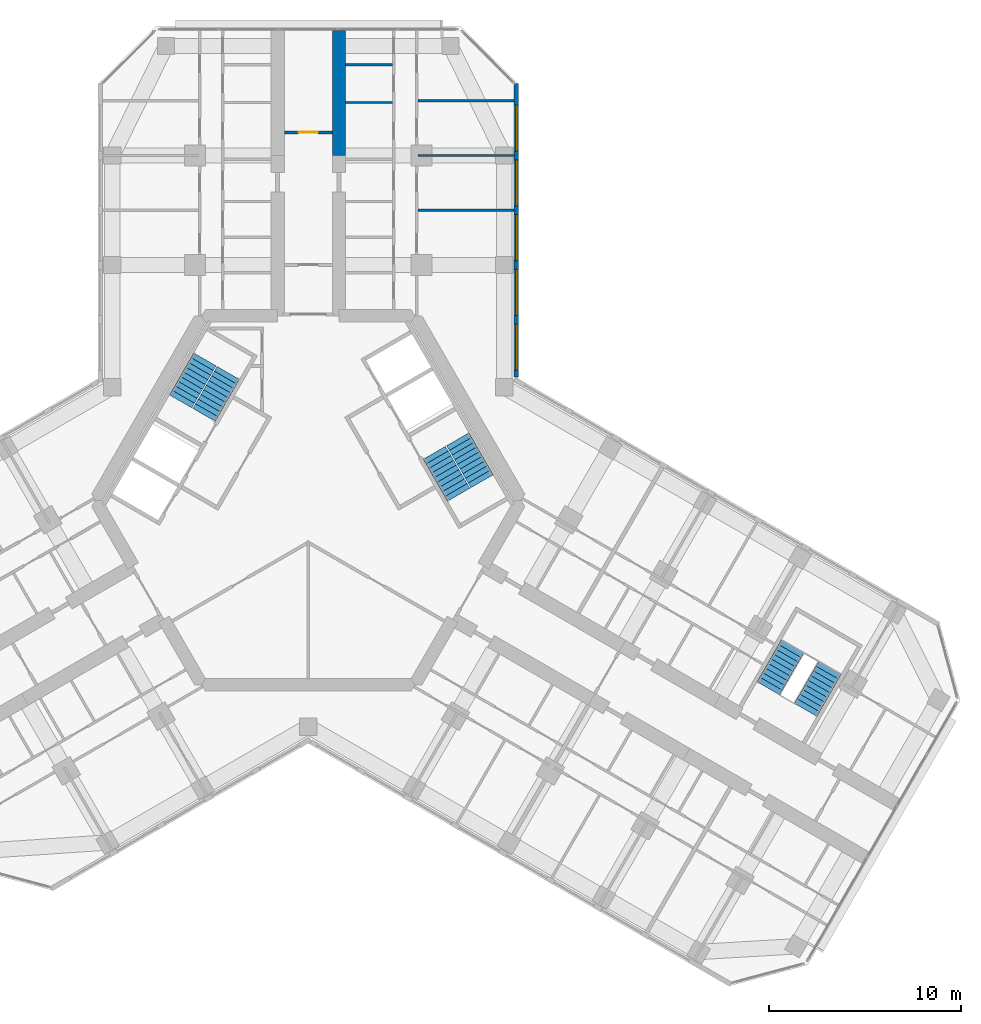
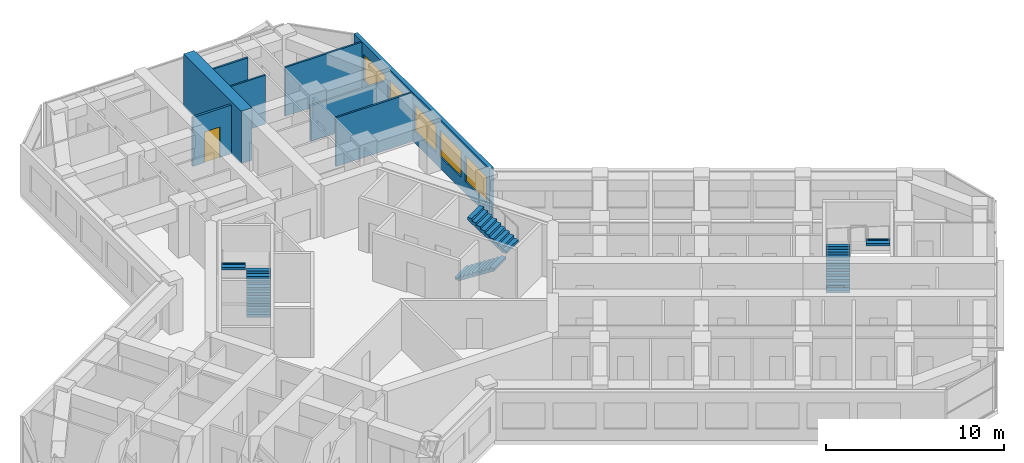
# One storey, part 15 of 16: 8 walls, 6 stair flights, 5 windows, 1 door, 6 openings, 3 elements without a shape of their own.
"""IFC4 building model written with IfcOpenShell, lengths in metres."""

from ifc_helpers import new_model, si_unit, direction, frame, frame_2d, origin, place, context, subcontext, project, spatial, polyline, rectangle, outline, extrude, material, layer, layer_set, type_object, element, fill, aggregate, save


model = new_model("IFC4")

# Units and contexts
model_context = context("Model", 3, precision=1e-05, world=origin(), true_north=direction((0.0, 1.0)))
body_context = subcontext(model_context, "Body", "Model", "MODEL_VIEW")
ifc_project = project(units=[si_unit("LENGTHUNIT", "METRE"), si_unit("AREAUNIT", "SQUARE_METRE"), si_unit("VOLUMEUNIT", "CUBIC_METRE"), si_unit("PLANEANGLEUNIT", "RADIAN"), si_unit("MASSUNIT", "GRAM", prefix="KILO")], contexts=[model_context])

# Site, building, storey
site_placement = place(None, origin())
site = spatial("IfcSite", under=ifc_project, at=site_placement, CompositionType="ELEMENT")
building_placement = place(site_placement, origin())
building = spatial("IfcBuilding", under=site, at=building_placement, Name="Kosmar Iwan School Tower", CompositionType="ELEMENT")
storey_placement = place(building_placement, frame((0.0, 0.0, 197.39990234375)))
storey = spatial("IfcBuildingStorey", under=building, at=storey_placement, Name="L49", CompositionType="ELEMENT", Elevation=197.39990234375)

# Wall
ifc_material_1 = material(Name="Concrete C50/60", Category="concrete")
ifc_layer_1 = layer(ifc_material_1, 0.699951171875)
ifc_layer_set_1 = layer_set([ifc_layer_1], Name="Corridor buttress wall 700")
wall_type_1 = type_object("IfcWallType", Name="Corridor buttress wall 700", PredefinedType="SHEAR", material=ifc_layer_set_1)
wall_1_placement = place(storey_placement, frame((1.60009765625, 17.949951171875, 0.0), z_axis=(0.0, 0.0, 1.0), x_axis=(0.0, 1.0, 0.0)))
element("IfcWall", 1, at=wall_1_placement, inside=storey, type_object=wall_type_1, Name="Corridor wall AR bay 2", PredefinedType="SHEAR", context=body_context, shape_type="SweptSolid", body=[
    extrude(rectangle(XDim=6.4951171875, YDim=0.699951171875, at=frame_2d((3.24755859375, 0.0))), origin(), (0.0, 0.0, 1.0), 3.60009765625),
])

# Wall, opening, door
ifc_material_2 = material(Name="Gypsum board on steel studs, fire-rated", Category="steel")
ifc_layer_2 = layer(ifc_material_2, 0.14990234375)
ifc_layer_set_2 = layer_set([ifc_layer_2], Name="Corridor end wall 150")
wall_type_2 = type_object("IfcWallType", Name="Corridor end wall 150", PredefinedType="PARTITIONING", material=ifc_layer_set_2)
wall_2_placement = place(storey_placement, frame((1.25, 19.14990234375, 0.0), z_axis=(0.0, 0.0, 1.0), x_axis=(-1.0, 0.0, 0.0)))
wall_2 = element("IfcWall", 2, at=wall_2_placement, inside=storey, type_object=wall_type_2, Name="Partition L49-A-CE", PredefinedType="PARTITIONING", context=body_context, shape_type="SweptSolid", body=[
    extrude(rectangle(XDim=2.5, YDim=0.14990234375, at=frame_2d((1.25, 0.0))), origin(), (0.0, 0.0, 1.0), 3.35009765625),
])
opening_1_placement = place(wall_2_placement, frame((0.75, 0.0, 0.0)))
opening_1 = element("IfcOpeningElement", 3, at=opening_1_placement, cuts=wall_2, Name="Opening D13", PredefinedType="OPENING", context=body_context, shape_type="SweptSolid", body=[
    extrude(rectangle(XDim=1.0, YDim=2.10009765625, at=frame_2d((0.5, 1.050048828125))), frame((0.0, 0.0869140625, 0.0), z_axis=(0.0, -1.0, 0.0), x_axis=(1.0, 0.0, 0.0)), (0.0, 0.0, 1.0), 0.173828125),
])
ifc_material_3 = material(Name="Timber fire door with vision panel", Category="wood")
door_type = type_object("IfcDoorType", Name="Corridor end door 1000x2100", OperationType="SINGLE_SWING_LEFT", PredefinedType="DOOR", material=ifc_material_3)
door_placement = place(opening_1_placement, origin())
door = element("IfcDoor", 4, at=door_placement, inside=storey, type_object=door_type, Name="Reading room door L49-A", OperationType="SINGLE_SWING_LEFT", OverallHeight=2.10009765625, OverallWidth=1.0, PredefinedType="DOOR", context=body_context, shape_type="SweptSolid", body=[
    extrude(rectangle(XDim=1.0, YDim=2.10009765625, at=frame_2d((0.5, 1.050048828125))), frame((0.0, 0.02490234375, 0.0), z_axis=(0.0, -1.0, 0.0), x_axis=(1.0, 0.0, 0.0)), (0.0, 0.0, 1.0), 0.050048828125),
])
fill(opening_1, door)

# Walls
ifc_material_4 = material(Name="Gypsum board on steel studs", Category="steel")
ifc_layer_3 = layer(ifc_material_4, 0.1201171875)
ifc_layer_set_3 = layer_set([ifc_layer_3], Name="Dwelling partition 120")
wall_type_3 = type_object("IfcWallType", Name="Dwelling partition 120", PredefinedType="PARTITIONING", material=ifc_layer_set_3)
wall_3_placement = place(storey_placement, frame((5.7099609375, 15.10009765625, 0.0), z_axis=(0.0, 0.0, 1.0), x_axis=(1.0, 0.0, 0.0)))
element("IfcWall", 5, at=wall_3_placement, inside=storey, type_object=wall_type_3, Name="Partition L49-AR1-X1", PredefinedType="PARTITIONING", context=body_context, shape_type="SweptSolid", body=[
    extrude(rectangle(XDim=4.989990234375, YDim=0.1201171875, at=frame_2d((2.4951171875, 0.0))), origin(), (0.0, 0.0, 1.0), 3.35009765625),
])
wall_4_placement = place(storey_placement, frame((5.7099609375, 17.949951171875, 0.0), z_axis=(0.0, 0.0, 1.0), x_axis=(1.0, 0.0, 0.0)))
element("IfcWall", 6, at=wall_4_placement, inside=storey, type_object=wall_type_3, Name="Partition L49-AR1-X2", PredefinedType="PARTITIONING", context=body_context, shape_type="SweptSolid", body=[
    extrude(rectangle(XDim=4.989990234375, YDim=0.1201171875, at=frame_2d((2.4951171875, 0.0))), origin(), (0.0, 0.0, 1.0), 2.4501953125),
])
wall_5_placement = place(storey_placement, frame((5.7099609375, 20.800048828125, 0.0), z_axis=(0.0, 0.0, 1.0), x_axis=(1.0, 0.0, 0.0)))
element("IfcWall", 7, at=wall_5_placement, inside=storey, type_object=wall_type_3, Name="Partition L49-AR1-X3", PredefinedType="PARTITIONING", context=body_context, shape_type="SweptSolid", body=[
    extrude(rectangle(XDim=4.989990234375, YDim=0.1201171875, at=frame_2d((2.4951171875, 0.0))), origin(), (0.0, 0.0, 1.0), 3.35009765625),
])
for number, where, z_axis, x_axis, name in (
    (8, (1.949951171875, 20.70703125, 0.0), (0.0, 0.0, 1.0), (1.0, 0.0, 0.0), "Partition L49-AR1-Y5"),
    (9, (1.949951171875, 22.678466796875, 0.0), (0.0, 0.0, 1.0), (1.0, 0.0, 0.0), "Partition L49-AR1-Y6"),
):
    element("IfcWall", number, at=place(storey_placement, frame(where, z_axis=z_axis, x_axis=x_axis)), inside=storey, type_object=wall_type_3, Name=name, PredefinedType="PARTITIONING", context=body_context, shape_type="SweptSolid", body=[
        extrude(rectangle(XDim=2.43994140625, YDim=0.1201171875, at=frame_2d((1.219970703125, 0.0))), origin(), (0.0, 0.0, 1.0), 3.35009765625),
    ])

# Wall, openings, windows
ifc_material_5 = material(Name="Black aluminium rainscreen on insulated framing", Category="aluminium")
ifc_layer_4 = layer(ifc_material_5, 0.25)
ifc_layer_set_4 = layer_set([ifc_layer_4], Name="External wall rainscreen 250")
wall_type_4 = type_object("IfcWallType", Name="External wall rainscreen 250", PredefinedType="SOLIDWALL", material=ifc_layer_set_4)
wall_6_placement = place(storey_placement, frame((10.824951171875, 6.408935546875, 0.0), z_axis=(0.0, 0.0, 1.0), x_axis=(0.0, 1.0, 0.0)))
wall_6 = element("IfcWall", 10, at=wall_6_placement, inside=storey, type_object=wall_type_4, Name="External wall AR L49", PredefinedType="SOLIDWALL", context=body_context, shape_type="SweptSolid", body=[
    extrude(rectangle(XDim=15.2763671875, YDim=0.25, at=frame_2d((7.63818359375, 0.0))), origin(), (0.0, 0.0, 1.0), 3.35009765625),
])
opening_2_placement = place(wall_6_placement, frame((0.365966796875, 0.0, 0.800048828125)))
opening_2 = element("IfcOpeningElement", 11, at=opening_2_placement, cuts=wall_6, Name="Opening W5", PredefinedType="OPENING", context=body_context, shape_type="SweptSolid", body=[
    extrude(rectangle(XDim=2.39990234375, YDim=1.800048828125, at=frame_2d((1.199951171875, 0.89990234375))), frame((0.0, 0.136962890625, 0.0), z_axis=(0.0, -1.0, 0.0), x_axis=(1.0, 0.0, 0.0)), (0.0, 0.0, 1.0), 0.27392578125),
])
opening_3_placement = place(wall_6_placement, frame((3.216064453125, 0.0, 0.800048828125)))
opening_3 = element("IfcOpeningElement", 12, at=opening_3_placement, cuts=wall_6, Name="Opening W5", PredefinedType="OPENING", context=body_context, shape_type="SweptSolid", body=[
    extrude(rectangle(XDim=2.39990234375, YDim=1.800048828125, at=frame_2d((1.199951171875, 0.89990234375))), frame((0.0, 0.136962890625, 0.0), z_axis=(0.0, -1.0, 0.0), x_axis=(1.0, 0.0, 0.0)), (0.0, 0.0, 1.0), 0.27392578125),
])
opening_4_placement = place(wall_6_placement, frame((6.06591796875, 0.0, 0.800048828125)))
opening_4 = element("IfcOpeningElement", 13, at=opening_4_placement, cuts=wall_6, Name="Opening W5", PredefinedType="OPENING", context=body_context, shape_type="SweptSolid", body=[
    extrude(rectangle(XDim=2.39990234375, YDim=1.800048828125, at=frame_2d((1.199951171875, 0.89990234375))), frame((0.0, 0.136962890625, 0.0), z_axis=(0.0, -1.0, 0.0), x_axis=(1.0, 0.0, 0.0)), (0.0, 0.0, 1.0), 0.27392578125),
])
opening_5_placement = place(wall_6_placement, frame((8.916015625, 0.0, 0.800048828125)))
opening_5 = element("IfcOpeningElement", 14, at=opening_5_placement, cuts=wall_6, Name="Opening W5", PredefinedType="OPENING", context=body_context, shape_type="SweptSolid", body=[
    extrude(rectangle(XDim=2.39990234375, YDim=1.800048828125, at=frame_2d((1.199951171875, 0.89990234375))), frame((0.0, 0.136962890625, 0.0), z_axis=(0.0, -1.0, 0.0), x_axis=(1.0, 0.0, 0.0)), (0.0, 0.0, 1.0), 0.27392578125),
])
opening_6_placement = place(wall_6_placement, frame((11.76611328125, 0.0, 0.800048828125)))
opening_6 = element("IfcOpeningElement", 15, at=opening_6_placement, cuts=wall_6, Name="Opening W5", PredefinedType="OPENING", context=body_context, shape_type="SweptSolid", body=[
    extrude(rectangle(XDim=2.39990234375, YDim=1.800048828125, at=frame_2d((1.199951171875, 0.89990234375))), frame((0.0, 0.136962890625, 0.0), z_axis=(0.0, -1.0, 0.0), x_axis=(1.0, 0.0, 0.0)), (0.0, 0.0, 1.0), 0.27392578125),
])
ifc_material_6 = material(Name="Black aluminium frame with dark triple glazing", Category="aluminium")
window_type = type_object("IfcWindowType", Name="Window 2400x1800", PartitioningType="SINGLE_PANEL", PredefinedType="WINDOW", material=ifc_material_6)
window_1_placement = place(opening_2_placement, origin())
window_1 = element("IfcWindow", 16, at=window_1_placement, inside=storey, type_object=window_type, Name="Window AR L49 -1", OverallHeight=1.800048828125, OverallWidth=2.39990234375, PartitioningType="SINGLE_PANEL", PredefinedType="WINDOW", context=body_context, shape_type="SweptSolid", body=[
    extrude(rectangle(XDim=2.39990234375, YDim=1.800048828125, at=frame_2d((1.199951171875, 0.89990234375))), frame((0.0, 0.030029296875, 0.0), z_axis=(0.0, -1.0, 0.0), x_axis=(1.0, 0.0, 0.0)), (0.0, 0.0, 1.0), 0.06005859375),
])
fill(opening_2, window_1)
window_2_placement = place(opening_3_placement, origin())
window_2 = element("IfcWindow", 17, at=window_2_placement, inside=storey, type_object=window_type, Name="Window AR L49 0", OverallHeight=1.800048828125, OverallWidth=2.39990234375, PartitioningType="SINGLE_PANEL", PredefinedType="WINDOW", context=body_context, shape_type="SweptSolid", body=[
    extrude(rectangle(XDim=2.39990234375, YDim=1.800048828125, at=frame_2d((1.199951171875, 0.89990234375))), frame((0.0, 0.030029296875, 0.0), z_axis=(0.0, -1.0, 0.0), x_axis=(1.0, 0.0, 0.0)), (0.0, 0.0, 1.0), 0.06005859375),
])
fill(opening_3, window_2)
window_3_placement = place(opening_4_placement, origin())
window_3 = element("IfcWindow", 18, at=window_3_placement, inside=storey, type_object=window_type, Name="Window AR L49 1", OverallHeight=1.800048828125, OverallWidth=2.39990234375, PartitioningType="SINGLE_PANEL", PredefinedType="WINDOW", context=body_context, shape_type="SweptSolid", body=[
    extrude(rectangle(XDim=2.39990234375, YDim=1.800048828125, at=frame_2d((1.199951171875, 0.89990234375))), frame((0.0, 0.030029296875, 0.0), z_axis=(0.0, -1.0, 0.0), x_axis=(1.0, 0.0, 0.0)), (0.0, 0.0, 1.0), 0.06005859375),
])
fill(opening_4, window_3)
window_4_placement = place(opening_5_placement, origin())
window_4 = element("IfcWindow", 19, at=window_4_placement, inside=storey, type_object=window_type, Name="Window AR L49 2", OverallHeight=1.800048828125, OverallWidth=2.39990234375, PartitioningType="SINGLE_PANEL", PredefinedType="WINDOW", context=body_context, shape_type="SweptSolid", body=[
    extrude(rectangle(XDim=2.39990234375, YDim=1.800048828125, at=frame_2d((1.199951171875, 0.89990234375))), frame((0.0, 0.030029296875, 0.0), z_axis=(0.0, -1.0, 0.0), x_axis=(1.0, 0.0, 0.0)), (0.0, 0.0, 1.0), 0.06005859375),
])
fill(opening_5, window_4)
window_5_placement = place(opening_6_placement, origin())
window_5 = element("IfcWindow", 20, at=window_5_placement, inside=storey, type_object=window_type, Name="Window AR L49 3", OverallHeight=1.800048828125, OverallWidth=2.39990234375, PartitioningType="SINGLE_PANEL", PredefinedType="WINDOW", context=body_context, shape_type="SweptSolid", body=[
    extrude(rectangle(XDim=2.39990234375, YDim=1.800048828125, at=frame_2d((1.199951171875, 0.89990234375))), frame((0.0, 0.030029296875, 0.0), z_axis=(0.0, -1.0, 0.0), x_axis=(1.0, 0.0, 0.0)), (0.0, 0.0, 1.0), 0.06005859375),
])
fill(opening_6, window_5)

# Stair, stair flights
ifc_material_7 = material(Name="Concrete C35/45", Category="concrete")
stair_type_1 = type_object("IfcStairType", Name="Escape stair 3600", PredefinedType="HALF_TURN_STAIR", material=ifc_material_7)
stair_1_placement = place(storey_placement, origin())
stair_1 = element("IfcStair", 21, at=stair_1_placement, inside=storey, type_object=stair_type_1, Name="Stair WS3 L49", PredefinedType="HALF_TURN_STAIR")
ifc_material_8 = material(Name="Concrete C35/45", Category="concrete")
stair_flight_type_1 = type_object("IfcStairFlightType", Name="Escape stair flight 1350", PredefinedType="STRAIGHT", material=ifc_material_8)
stair_flight_1_placement = place(storey_placement, frame((23.94189453125, -9.781494140625, 0.0), z_axis=(0.0, 0.0, 1.0), x_axis=(0.5, 0.866025403784, 0.0)))
stair_flight_1 = element("IfcStairFlight", 22, at=stair_flight_1_placement, type_object=stair_flight_type_1, Name="WS3 flight 1", NumberOfRisers=10, NumberOfTreads=9, PredefinedType="STRAIGHT", RiserHeight=0.18, TreadLength=0.28, context=body_context, shape_type="SweptSolid", body=[
    extrude(outline(polyline([(0.0, 0.0), (0.0, 0.179931640625), (0.280029296875, 0.179931640625), (0.280029296875, 0.360107421875), (0.56005859375, 0.360107421875), (0.56005859375, 0.5400390625), (0.840087890625, 0.5400390625), (0.840087890625, 0.719970703125), (1.1201171875, 0.719970703125), (1.1201171875, 0.89990234375), (1.39990234375, 0.89990234375), (1.39990234375, 1.080078125), (1.679931640625, 1.080078125), (1.679931640625, 1.260009765625), (1.9599609375, 1.260009765625), (1.9599609375, 1.43994140625), (2.239990234375, 1.43994140625), (2.239990234375, 1.6201171875), (2.52001953125, 1.6201171875), (2.52001953125, 1.800048828125), (2.52001953125, 1.44189453125), (0.277099609375, 0.0), (0.0, 0.0)])), frame((0.0, 0.675048828125, 0.0), z_axis=(0.0, -1.0, 0.0), x_axis=(1.0, 0.0, 0.0)), (0.0, 0.0, 1.0), 1.35009765625),
])
stair_flight_2_placement = place(storey_placement, frame((27.150390625, -8.72412109375, 1.800048828125), z_axis=(0.0, 0.0, 1.0), x_axis=(-0.5, -0.866025403784, 0.0)))
stair_flight_2 = element("IfcStairFlight", 23, at=stair_flight_2_placement, type_object=stair_flight_type_1, Name="WS3 flight 2", NumberOfRisers=10, NumberOfTreads=9, PredefinedType="STRAIGHT", RiserHeight=0.18, TreadLength=0.28, context=body_context, shape_type="SweptSolid", body=[
    extrude(outline(polyline([(0.0, 0.0), (0.0, 0.179931640625), (0.280029296875, 0.179931640625), (0.280029296875, 0.360107421875), (0.56005859375, 0.360107421875), (0.56005859375, 0.5400390625), (0.840087890625, 0.5400390625), (0.840087890625, 0.719970703125), (1.1201171875, 0.719970703125), (1.1201171875, 0.89990234375), (1.39990234375, 0.89990234375), (1.39990234375, 1.080078125), (1.679931640625, 1.080078125), (1.679931640625, 1.260009765625), (1.9599609375, 1.260009765625), (1.9599609375, 1.43994140625), (2.239990234375, 1.43994140625), (2.239990234375, 1.6201171875), (2.52001953125, 1.6201171875), (2.52001953125, 1.800048828125), (2.52001953125, 1.44189453125), (0.277099609375, 0.0), (0.0, 0.0)])), frame((0.0, 0.675048828125, 0.0), z_axis=(0.0, -1.0, 0.0), x_axis=(1.0, 0.0, 0.0)), (0.0, 0.0, 1.0), 1.35009765625),
])
aggregate(stair_1, [stair_flight_1, stair_flight_2])

ifc_material_9 = material(Name="Concrete C35/45", Category="concrete")
stair_type_2 = type_object("IfcStairType", Name="Core stair 2750", PredefinedType="HALF_TURN_STAIR", material=ifc_material_9)
stair_2_placement = place(storey_placement, origin())
stair_2 = element("IfcStair", 24, at=stair_2_placement, inside=storey, type_object=stair_type_2, Name="Stair ST2 L49", PredefinedType="HALF_TURN_STAIR")
ifc_material_10 = material(Name="Concrete C35/45", Category="concrete")
stair_flight_type_2 = type_object("IfcStairFlightType", Name="Stair flight 1350", PredefinedType="STRAIGHT", material=ifc_material_10)
stair_flight_3_placement = place(storey_placement, frame((-5.42724609375, 4.44970703125, 0.0), z_axis=(0.0, 0.0, 1.0), x_axis=(0.5, 0.866025403784, 0.0)))
stair_flight_3 = element("IfcStairFlight", 25, at=stair_flight_3_placement, type_object=stair_flight_type_2, Name="ST2 flight 1", NumberOfRisers=10, NumberOfTreads=9, PredefinedType="STRAIGHT", RiserHeight=0.18, TreadLength=0.28, context=body_context, shape_type="SweptSolid", body=[
    extrude(outline(polyline([(0.0, 0.0), (0.0, 0.179931640625), (0.280029296875, 0.179931640625), (0.280029296875, 0.360107421875), (0.56005859375, 0.360107421875), (0.56005859375, 0.5400390625), (0.840087890625, 0.5400390625), (0.840087890625, 0.719970703125), (1.1201171875, 0.719970703125), (1.1201171875, 0.89990234375), (1.39990234375, 0.89990234375), (1.39990234375, 1.080078125), (1.679931640625, 1.080078125), (1.679931640625, 1.260009765625), (1.9599609375, 1.260009765625), (1.9599609375, 1.43994140625), (2.239990234375, 1.43994140625), (2.239990234375, 1.6201171875), (2.52001953125, 1.6201171875), (2.52001953125, 1.800048828125), (2.52001953125, 1.44189453125), (0.277099609375, 0.0), (0.0, 0.0)])), frame((0.0, 0.675048828125, 0.0), z_axis=(0.0, -1.0, 0.0), x_axis=(1.0, 0.0, 0.0)), (0.0, 0.0, 1.0), 1.35009765625),
])
stair_flight_4_placement = place(storey_placement, frame((-5.379638671875, 7.33203125, 1.800048828125), z_axis=(0.0, 0.0, 1.0), x_axis=(-0.5, -0.866025403784, 0.0)))
stair_flight_4 = element("IfcStairFlight", 26, at=stair_flight_4_placement, type_object=stair_flight_type_2, Name="ST2 flight 2", NumberOfRisers=10, NumberOfTreads=9, PredefinedType="STRAIGHT", RiserHeight=0.18, TreadLength=0.28, context=body_context, shape_type="SweptSolid", body=[
    extrude(outline(polyline([(0.0, 0.0), (0.0, 0.179931640625), (0.280029296875, 0.179931640625), (0.280029296875, 0.360107421875), (0.56005859375, 0.360107421875), (0.56005859375, 0.5400390625), (0.840087890625, 0.5400390625), (0.840087890625, 0.719970703125), (1.1201171875, 0.719970703125), (1.1201171875, 0.89990234375), (1.39990234375, 0.89990234375), (1.39990234375, 1.080078125), (1.679931640625, 1.080078125), (1.679931640625, 1.260009765625), (1.9599609375, 1.260009765625), (1.9599609375, 1.43994140625), (2.239990234375, 1.43994140625), (2.239990234375, 1.6201171875), (2.52001953125, 1.6201171875), (2.52001953125, 1.800048828125), (2.52001953125, 1.44189453125), (0.277099609375, 0.0), (0.0, 0.0)])), frame((0.0, 0.675048828125, 0.0), z_axis=(0.0, -1.0, 0.0), x_axis=(1.0, 0.0, 0.0)), (0.0, 0.0, 1.0), 1.35009765625),
])
aggregate(stair_2, [stair_flight_3, stair_flight_4])

stair_3_placement = place(storey_placement, origin())
stair_3 = element("IfcStair", 27, at=stair_3_placement, inside=storey, type_object=stair_type_2, Name="Stair ST1 L49", PredefinedType="HALF_TURN_STAIR")
stair_flight_5_placement = place(storey_placement, frame((6.567138671875, 2.475341796875, 0.0), z_axis=(0.0, 0.0, 1.0), x_axis=(0.5, -0.866025403784, 0.0)))
stair_flight_5 = element("IfcStairFlight", 28, at=stair_flight_5_placement, type_object=stair_flight_type_2, Name="ST1 flight 1", NumberOfRisers=10, NumberOfTreads=9, PredefinedType="STRAIGHT", RiserHeight=0.18, TreadLength=0.28, context=body_context, shape_type="SweptSolid", body=[
    extrude(outline(polyline([(0.0, 0.0), (0.0, 0.179931640625), (0.280029296875, 0.179931640625), (0.280029296875, 0.360107421875), (0.56005859375, 0.360107421875), (0.56005859375, 0.5400390625), (0.840087890625, 0.5400390625), (0.840087890625, 0.719970703125), (1.1201171875, 0.719970703125), (1.1201171875, 0.89990234375), (1.39990234375, 0.89990234375), (1.39990234375, 1.080078125), (1.679931640625, 1.080078125), (1.679931640625, 1.260009765625), (1.9599609375, 1.260009765625), (1.9599609375, 1.43994140625), (2.239990234375, 1.43994140625), (2.239990234375, 1.6201171875), (2.52001953125, 1.6201171875), (2.52001953125, 1.800048828125), (2.52001953125, 1.44189453125), (0.277099609375, 0.0), (0.0, 0.0)])), frame((0.0, 0.675048828125, 0.0), z_axis=(0.0, -1.0, 0.0), x_axis=(1.0, 0.0, 0.0)), (0.0, 0.0, 1.0), 1.35009765625),
])
stair_flight_6_placement = place(storey_placement, frame((9.03955078125, 0.992919921875, 1.800048828125), z_axis=(0.0, 0.0, 1.0), x_axis=(-0.5, 0.866025403784, 0.0)))
stair_flight_6 = element("IfcStairFlight", 29, at=stair_flight_6_placement, type_object=stair_flight_type_2, Name="ST1 flight 2", NumberOfRisers=10, NumberOfTreads=9, PredefinedType="STRAIGHT", RiserHeight=0.18, TreadLength=0.28, context=body_context, shape_type="SweptSolid", body=[
    extrude(outline(polyline([(0.0, 0.0), (0.0, 0.179931640625), (0.280029296875, 0.179931640625), (0.280029296875, 0.360107421875), (0.56005859375, 0.360107421875), (0.56005859375, 0.5400390625), (0.840087890625, 0.5400390625), (0.840087890625, 0.719970703125), (1.1201171875, 0.719970703125), (1.1201171875, 0.89990234375), (1.39990234375, 0.89990234375), (1.39990234375, 1.080078125), (1.679931640625, 1.080078125), (1.679931640625, 1.260009765625), (1.9599609375, 1.260009765625), (1.9599609375, 1.43994140625), (2.239990234375, 1.43994140625), (2.239990234375, 1.6201171875), (2.52001953125, 1.6201171875), (2.52001953125, 1.800048828125), (2.52001953125, 1.44189453125), (0.277099609375, 0.0), (0.0, 0.0)])), frame((0.0, 0.675048828125, 0.0), z_axis=(0.0, -1.0, 0.0), x_axis=(1.0, 0.0, 0.0)), (0.0, 0.0, 1.0), 1.35009765625),
])
aggregate(stair_3, [stair_flight_5, stair_flight_6])

save(model, "model.ifc")
